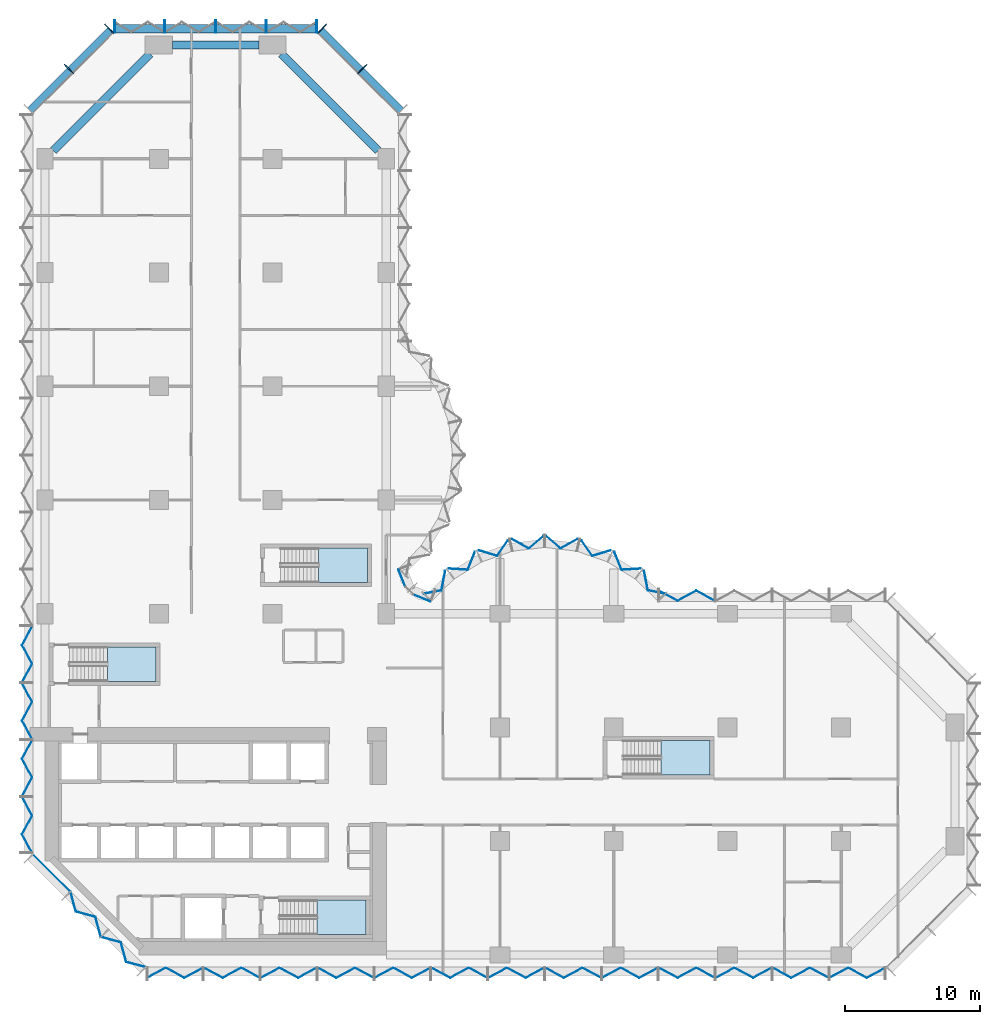
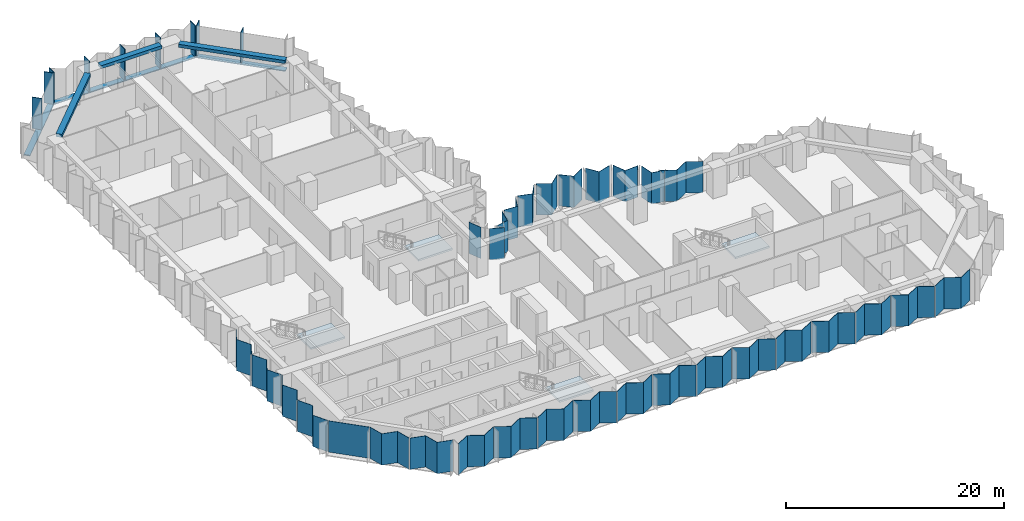
# One storey, part 5 of 15: 31 plates, 12 members, 4 slabs, 3 beams, 13 elements without a shape of their own.
"""IFC4 building model written with IfcOpenShell, lengths in metres."""

from ifc_helpers import new_model, si_unit, direction, frame, origin, origin_2d, place, context, subcontext, project, spatial, polyline, rectangle, outline, extrude, material, layer, layer_set, material_profile, profile_set, type_object, element, aggregate, save


model = new_model("IFC4")

# Units and contexts
model_context = context("Model", 3, precision=1e-05, world=origin(), true_north=direction((0.0, 1.0)))
body_context = subcontext(model_context, "Body", "Model", "MODEL_VIEW")
ifc_project = project(units=[si_unit("LENGTHUNIT", "METRE"), si_unit("AREAUNIT", "SQUARE_METRE"), si_unit("VOLUMEUNIT", "CUBIC_METRE"), si_unit("PLANEANGLEUNIT", "RADIAN"), si_unit("MASSUNIT", "GRAM", prefix="KILO")], contexts=[model_context])

# Site, building, storey
site_placement = place(None, origin())
site = spatial("IfcSite", under=ifc_project, at=site_placement, CompositionType="ELEMENT")
building_placement = place(site_placement, origin())
building = spatial("IfcBuilding", under=site, at=building_placement, Name="Brevane Broadcast Tower", CompositionType="ELEMENT")
storey_placement = place(building_placement, frame((0.0, 0.0, 58.10009765625)))
storey = spatial("IfcBuildingStorey", under=building, at=storey_placement, Name="L12", CompositionType="ELEMENT", Elevation=58.10009765625)

# Curtain wall, members
ifc_material_1 = material(Name="Aluminium 6063-T6 bronze anodised", Category="aluminium")
curtain_wall_type = type_object("IfcCurtainWallType", Name="CW-1 curtain wall", PredefinedType="NOTDEFINED", material=ifc_material_1)
curtain_wall_1_placement = place(storey_placement, origin())
curtain_wall_1 = element("IfcCurtainWall", 1, at=curtain_wall_1_placement, inside=storey, type_object=curtain_wall_type, Name="CW-1 typical tilted unit L12 north arm north-east chamfer", PredefinedType="NOTDEFINED")
ifc_material_profile_1 = material_profile(ifc_material_1, rectangle(XDim=0.949951171875, YDim=0.070068359375, at=origin_2d()), Name="RECT 70x950")
ifc_profile_set_1 = profile_set([ifc_material_profile_1], Name="Aluminium 6063-T6 bronze anodised")
member_type_1 = type_object("IfcMemberType", Name="CW-1 mullion 70x950", PredefinedType="MULLION", material=ifc_profile_set_1)
member_1_placement = place(storey_placement, frame((23.435791015625, 65.435791015625, -0.150146484375), z_axis=(0.0, 0.0, 1.0), x_axis=(-0.707106781187, -0.707106781187, 0.0)))
member_1 = element("IfcMember", 2, at=member_1_placement, type_object=member_type_1, Name="CW-1 mullion", PredefinedType="MULLION", context=body_context, shape_type="SweptSolid", body=[
    extrude(rectangle(XDim=0.949951171875, YDim=0.070068359375, at=origin_2d()), origin(), (0.0, 0.0, 1.0), 3.5),
])
member_2_placement = place(storey_placement, frame((20.460693359375, 68.4111328125, -0.150146484375), z_axis=(0.0, 0.0, 1.0), x_axis=(-0.707106781187, -0.707106781187, 0.0)))
member_2 = element("IfcMember", 3, at=member_2_placement, type_object=member_type_1, Name="CW-1 mullion", PredefinedType="MULLION", context=body_context, shape_type="SweptSolid", body=[
    extrude(rectangle(XDim=0.949951171875, YDim=0.070068359375, at=origin_2d()), origin(), (0.0, 0.0, 1.0), 3.5),
])

curtain_wall_2_placement = place(storey_placement, origin())
curtain_wall_2 = element("IfcCurtainWall", 4, at=curtain_wall_2_placement, inside=storey, type_object=curtain_wall_type, Name="CW-1 typical tilted unit L12 north end", PredefinedType="NOTDEFINED")
member_3_placement = place(storey_placement, frame((20.06494140625, 68.574951171875, -0.150146484375), z_axis=(0.0, 0.0, 1.0), x_axis=(0.0, -1.0, 0.0)))
member_3 = element("IfcMember", 5, at=member_3_placement, type_object=member_type_1, Name="CW-1 mullion", PredefinedType="MULLION", context=body_context, shape_type="SweptSolid", body=[
    extrude(rectangle(XDim=0.949951171875, YDim=0.070068359375, at=origin_2d()), origin(), (0.0, 0.0, 1.0), 3.5),
])
member_4_placement = place(storey_placement, frame((16.35009765625, 68.574951171875, -0.150146484375), z_axis=(0.0, 0.0, 1.0), x_axis=(0.0, -1.0, 0.0)))
member_4 = element("IfcMember", 6, at=member_4_placement, type_object=member_type_1, Name="CW-1 mullion", PredefinedType="MULLION", context=body_context, shape_type="SweptSolid", body=[
    extrude(rectangle(XDim=0.949951171875, YDim=0.070068359375, at=origin_2d()), origin(), (0.0, 0.0, 1.0), 3.5),
])
member_5_placement = place(storey_placement, frame((12.60009765625, 68.574951171875, -0.150146484375), z_axis=(0.0, 0.0, 1.0), x_axis=(0.0, -1.0, 0.0)))
member_5 = element("IfcMember", 7, at=member_5_placement, type_object=member_type_1, Name="CW-1 mullion", PredefinedType="MULLION", context=body_context, shape_type="SweptSolid", body=[
    extrude(rectangle(XDim=0.949951171875, YDim=0.070068359375, at=origin_2d()), origin(), (0.0, 0.0, 1.0), 3.5),
])
member_6_placement = place(storey_placement, frame((8.85009765625, 68.574951171875, -0.150146484375), z_axis=(0.0, 0.0, 1.0), x_axis=(0.0, -1.0, 0.0)))
member_6 = element("IfcMember", 8, at=member_6_placement, type_object=member_type_1, Name="CW-1 mullion", PredefinedType="MULLION", context=body_context, shape_type="SweptSolid", body=[
    extrude(rectangle(XDim=0.949951171875, YDim=0.070068359375, at=origin_2d()), origin(), (0.0, 0.0, 1.0), 3.5),
])
member_7_placement = place(storey_placement, frame((5.135009765625, 68.574951171875, -0.150146484375), z_axis=(0.0, 0.0, 1.0), x_axis=(0.0, -1.0, 0.0)))
member_7 = element("IfcMember", 9, at=member_7_placement, type_object=member_type_1, Name="CW-1 mullion", PredefinedType="MULLION", context=body_context, shape_type="SweptSolid", body=[
    extrude(rectangle(XDim=0.949951171875, YDim=0.070068359375, at=origin_2d()), origin(), (0.0, 0.0, 1.0), 3.5),
])

curtain_wall_3_placement = place(storey_placement, origin())
curtain_wall_3 = element("IfcCurtainWall", 10, at=curtain_wall_3_placement, inside=storey, type_object=curtain_wall_type, Name="CW-1 typical tilted unit L12 north-west chamfer", PredefinedType="NOTDEFINED")
member_8_placement = place(storey_placement, frame((4.7392578125, 68.4111328125, -0.150146484375), z_axis=(0.0, 0.0, 1.0), x_axis=(0.707106781187, -0.707106781187, 0.0)))
member_8 = element("IfcMember", 11, at=member_8_placement, type_object=member_type_1, Name="CW-1 mullion", PredefinedType="MULLION", context=body_context, shape_type="SweptSolid", body=[
    extrude(rectangle(XDim=0.949951171875, YDim=0.070068359375, at=origin_2d()), origin(), (0.0, 0.0, 1.0), 3.5),
])
member_9_placement = place(storey_placement, frame((1.76416015625, 65.435791015625, -0.150146484375), z_axis=(0.0, 0.0, 1.0), x_axis=(0.707106781187, -0.707106781187, 0.0)))
member_9 = element("IfcMember", 12, at=member_9_placement, type_object=member_type_1, Name="CW-1 mullion", PredefinedType="MULLION", context=body_context, shape_type="SweptSolid", body=[
    extrude(rectangle(XDim=0.949951171875, YDim=0.070068359375, at=origin_2d()), origin(), (0.0, 0.0, 1.0), 3.5),
])

# Member
ifc_material_profile_2 = material_profile(ifc_material_1, rectangle(XDim=0.60009765625, YDim=0.10009765625, at=origin_2d()), Name="RECT 100x600")
ifc_profile_set_2 = profile_set([ifc_material_profile_2], Name="Aluminium 6063-T6 bronze anodised")
member_type_2 = type_object("IfcMemberType", Name="CW-1 transom 100x600", PredefinedType="USERDEFINED", material=ifc_profile_set_2)
member_10_placement = place(storey_placement, frame((26.31201171875, 62.31201171875, -0.2001953125), z_axis=(-0.707106781187, 0.707106781187, 0.0), x_axis=(-0.707106781187, -0.707106781187, 0.0)))
member_10 = element("IfcMember", 13, at=member_10_placement, type_object=member_type_2, Name="CW-1 transom", ObjectType="TRANSOM", PredefinedType="USERDEFINED", context=body_context, shape_type="SweptSolid", body=[
    extrude(rectangle(XDim=0.60009765625, YDim=0.10009765625, at=origin_2d()), origin(), (0.0, 0.0, 1.0), 8.4853515625),
])

aggregate(curtain_wall_1, [member_1, member_2, member_10])

member_11_placement = place(storey_placement, frame((20.10009765625, 68.39990234375, -0.2001953125), z_axis=(-1.0, 0.0, 0.0), x_axis=(0.0, -1.0, 0.0)))
member_11 = element("IfcMember", 14, at=member_11_placement, type_object=member_type_2, Name="CW-1 transom", ObjectType="TRANSOM", PredefinedType="USERDEFINED", context=body_context, shape_type="SweptSolid", body=[
    extrude(rectangle(XDim=0.60009765625, YDim=0.10009765625, at=origin_2d()), origin(), (0.0, 0.0, 1.0), 15.0),
])

aggregate(curtain_wall_2, [member_3, member_4, member_5, member_6, member_7, member_11])

member_12_placement = place(storey_placement, frame((4.887939453125, 68.31201171875, -0.2001953125), z_axis=(-0.707106781187, -0.707106781187, 0.0), x_axis=(0.707106781187, -0.707106781187, 0.0)))
member_12 = element("IfcMember", 15, at=member_12_placement, type_object=member_type_2, Name="CW-1 transom", ObjectType="TRANSOM", PredefinedType="USERDEFINED", context=body_context, shape_type="SweptSolid", body=[
    extrude(rectangle(XDim=0.60009765625, YDim=0.10009765625, at=origin_2d()), origin(), (0.0, 0.0, 1.0), 8.4853515625),
])

aggregate(curtain_wall_3, [member_8, member_9, member_12])

# Beams
ifc_material_2 = material(Name="Concrete C40/50", Category="concrete")
ifc_material_profile_3 = material_profile(ifc_material_2, rectangle(XDim=0.60009765625, YDim=0.35009765625, at=origin_2d()), Name="RC 600x350")
ifc_profile_set_3 = profile_set([ifc_material_profile_3], Name="Concrete C40/50")
beam_type = type_object("IfcBeamType", Name="RC SPANDREL BEAM 600x350 C40/50", PredefinedType="SPANDREL", material=ifc_profile_set_3)
beam_1_placement = place(storey_placement, frame((24.60009765625, 59.39990234375, 3.1748046875), z_axis=(-0.707106781187, 0.707106781187, 0.0), x_axis=(-0.707106781187, -0.707106781187, 0.0)))
element("IfcBeam", 16, at=beam_1_placement, inside=storey, type_object=beam_type, Name="EB1 L12-16", PredefinedType="SPANDREL", context=body_context, shape_type="SweptSolid", body=[
    extrude(rectangle(XDim=0.60009765625, YDim=0.35009765625, at=origin_2d()), origin(), (0.0, 0.0, 1.0), 10.11181640625),
])
beam_2_placement = place(storey_placement, frame((15.800048828125, 67.199951171875, 3.1748046875), z_axis=(-1.0, 0.0, 0.0), x_axis=(0.0, -1.0, 0.0)))
element("IfcBeam", 17, at=beam_2_placement, inside=storey, type_object=beam_type, Name="EB1 L12-17", PredefinedType="SPANDREL", context=body_context, shape_type="SweptSolid", body=[
    extrude(rectangle(XDim=0.60009765625, YDim=0.35009765625, at=origin_2d()), origin(), (0.0, 0.0, 1.0), 6.400146484375),
])
beam_3_placement = place(storey_placement, frame((7.75, 66.550048828125, 3.1748046875), z_axis=(-0.707094708853, -0.707118853314, 0.0), x_axis=(0.707118853314, -0.707094708853, 0.0)))
element("IfcBeam", 18, at=beam_3_placement, inside=storey, type_object=beam_type, Name="EB1 L12-18", PredefinedType="SPANDREL", context=body_context, shape_type="SweptSolid", body=[
    extrude(rectangle(XDim=0.60009765625, YDim=0.35009765625, at=origin_2d()), origin(), (0.0, 0.0, 1.0), 10.111572265625),
])

# Curtain wall, plates
curtain_wall_4_placement = place(storey_placement, origin())
curtain_wall_4 = element("IfcCurtainWall", 19, at=curtain_wall_4_placement, inside=storey, type_object=curtain_wall_type, Name="CW-1 typical tilted unit L12 south face", PredefinedType="NOTDEFINED")
ifc_material_3 = material(Name="Laminated glass bronze-tinted", Category="glass")
ifc_layer_1 = layer(ifc_material_3, 0.0400390625)
ifc_layer_set_1 = layer_set([ifc_layer_1], Name="CW tall glass panel 40")
plate_type = type_object("IfcPlateType", Name="CW tall glass panel 40", PredefinedType="CURTAIN_PANEL", material=ifc_layer_set_1)
plate_1_placement = place(storey_placement, frame((0.0, 0.0, -0.150146484375)))
plate_1 = element("IfcPlate", 20, at=plate_1_placement, type_object=plate_type, Name="CW-1 glass panel", PredefinedType="CURTAIN_PANEL", context=body_context, shape_type="SweptSolid", body=[
    extrude(outline(polyline([(7.534912109375, -1.671630859375), (7.534912109375, -1.717041015625), (8.91162109375, -0.97265625), (10.288330078125, -1.717041015625), (11.6650390625, -0.97265625), (11.6650390625, -0.92724609375), (10.288330078125, -1.671630859375), (8.91162109375, -0.92724609375), (7.534912109375, -1.671630859375)])), origin(), (0.0, 0.0, 1.0), 3.5),
])
plate_2_placement = place(storey_placement, frame((0.0, 0.0, -0.150146484375)))
plate_2 = element("IfcPlate", 21, at=plate_2_placement, type_object=plate_type, Name="CW-1 glass panel", PredefinedType="CURTAIN_PANEL", context=body_context, shape_type="SweptSolid", body=[
    extrude(outline(polyline([(11.735107421875, -0.92724609375), (11.735107421875, -0.97265625), (13.11181640625, -1.717041015625), (14.48828125, -0.97265625), (15.864990234375, -1.717041015625), (15.864990234375, -1.671630859375), (14.48828125, -0.92724609375), (13.11181640625, -1.671630859375), (11.735107421875, -0.92724609375)])), origin(), (0.0, 0.0, 1.0), 3.5),
])
plate_3_placement = place(storey_placement, frame((0.0, 0.0, -0.150146484375)))
plate_3 = element("IfcPlate", 22, at=plate_3_placement, type_object=plate_type, Name="CW-1 glass panel", PredefinedType="CURTAIN_PANEL", context=body_context, shape_type="SweptSolid", body=[
    extrude(outline(polyline([(15.93505859375, -1.671630859375), (15.93505859375, -1.717041015625), (17.311767578125, -0.97265625), (18.688232421875, -1.717041015625), (20.06494140625, -0.97265625), (20.06494140625, -0.92724609375), (18.688232421875, -1.671630859375), (17.311767578125, -0.92724609375), (15.93505859375, -1.671630859375)])), origin(), (0.0, 0.0, 1.0), 3.5),
])
plate_4_placement = place(storey_placement, frame((0.0, 0.0, -0.150146484375)))
plate_4 = element("IfcPlate", 23, at=plate_4_placement, type_object=plate_type, Name="CW-1 glass panel", PredefinedType="CURTAIN_PANEL", context=body_context, shape_type="SweptSolid", body=[
    extrude(outline(polyline([(20.135009765625, -0.92724609375), (20.135009765625, -0.97265625), (21.51171875, -1.717041015625), (22.88818359375, -0.97265625), (24.264892578125, -1.717041015625), (24.264892578125, -1.671630859375), (22.88818359375, -0.92724609375), (21.51171875, -1.671630859375), (20.135009765625, -0.92724609375)])), origin(), (0.0, 0.0, 1.0), 3.5),
])
plate_5_placement = place(storey_placement, frame((0.0, 0.0, -0.150146484375)))
plate_5 = element("IfcPlate", 24, at=plate_5_placement, type_object=plate_type, Name="CW-1 glass panel", PredefinedType="CURTAIN_PANEL", context=body_context, shape_type="SweptSolid", body=[
    extrude(outline(polyline([(24.3349609375, -1.671630859375), (24.3349609375, -1.717041015625), (25.711669921875, -0.97265625), (27.08837890625, -1.717041015625), (28.465087890625, -0.97265625), (28.465087890625, -0.92724609375), (27.08837890625, -1.671630859375), (25.711669921875, -0.92724609375), (24.3349609375, -1.671630859375)])), origin(), (0.0, 0.0, 1.0), 3.5),
])
plate_6_placement = place(storey_placement, frame((0.0, 0.0, -0.150146484375)))
plate_6 = element("IfcPlate", 25, at=plate_6_placement, type_object=plate_type, Name="CW-1 glass panel", PredefinedType="CURTAIN_PANEL", context=body_context, shape_type="SweptSolid", body=[
    extrude(outline(polyline([(28.534912109375, -0.92724609375), (28.534912109375, -0.97265625), (29.91162109375, -1.717041015625), (31.288330078125, -0.97265625), (32.6650390625, -1.717041015625), (32.6650390625, -1.671630859375), (31.288330078125, -0.92724609375), (29.91162109375, -1.671630859375), (28.534912109375, -0.92724609375)])), origin(), (0.0, 0.0, 1.0), 3.5),
])
plate_7_placement = place(storey_placement, frame((0.0, 0.0, -0.150146484375)))
plate_7 = element("IfcPlate", 26, at=plate_7_placement, type_object=plate_type, Name="CW-1 glass panel", PredefinedType="CURTAIN_PANEL", context=body_context, shape_type="SweptSolid", body=[
    extrude(outline(polyline([(32.735107421875, -1.671630859375), (32.735107421875, -1.717041015625), (34.11181640625, -0.97265625), (35.48828125, -1.717041015625), (36.864990234375, -0.97265625), (36.864990234375, -0.92724609375), (35.48828125, -1.671630859375), (34.11181640625, -0.92724609375), (32.735107421875, -1.671630859375)])), origin(), (0.0, 0.0, 1.0), 3.5),
])
plate_8_placement = place(storey_placement, frame((0.0, 0.0, -0.150146484375)))
plate_8 = element("IfcPlate", 27, at=plate_8_placement, type_object=plate_type, Name="CW-1 glass panel", PredefinedType="CURTAIN_PANEL", context=body_context, shape_type="SweptSolid", body=[
    extrude(outline(polyline([(36.93505859375, -0.92724609375), (36.93505859375, -0.97265625), (38.311767578125, -1.717041015625), (39.688232421875, -0.97265625), (41.06494140625, -1.717041015625), (41.06494140625, -1.671630859375), (39.688232421875, -0.92724609375), (38.311767578125, -1.671630859375), (36.93505859375, -0.92724609375)])), origin(), (0.0, 0.0, 1.0), 3.5),
])
plate_9_placement = place(storey_placement, frame((0.0, 0.0, -0.150146484375)))
plate_9 = element("IfcPlate", 28, at=plate_9_placement, type_object=plate_type, Name="CW-1 glass panel", PredefinedType="CURTAIN_PANEL", context=body_context, shape_type="SweptSolid", body=[
    extrude(outline(polyline([(41.135009765625, -1.671630859375), (41.135009765625, -1.717041015625), (42.51171875, -0.97265625), (43.88818359375, -1.717041015625), (45.264892578125, -0.97265625), (45.264892578125, -0.92724609375), (43.88818359375, -1.671630859375), (42.51171875, -0.92724609375), (41.135009765625, -1.671630859375)])), origin(), (0.0, 0.0, 1.0), 3.5),
])
plate_10_placement = place(storey_placement, frame((0.0, 0.0, -0.150146484375)))
plate_10 = element("IfcPlate", 29, at=plate_10_placement, type_object=plate_type, Name="CW-1 glass panel", PredefinedType="CURTAIN_PANEL", context=body_context, shape_type="SweptSolid", body=[
    extrude(outline(polyline([(45.3349609375, -0.92724609375), (45.3349609375, -0.97265625), (46.711669921875, -1.717041015625), (48.08837890625, -0.97265625), (49.465087890625, -1.717041015625), (49.465087890625, -1.671630859375), (48.08837890625, -0.92724609375), (46.711669921875, -1.671630859375), (45.3349609375, -0.92724609375)])), origin(), (0.0, 0.0, 1.0), 3.5),
])
plate_11_placement = place(storey_placement, frame((0.0, 0.0, -0.150146484375)))
plate_11 = element("IfcPlate", 30, at=plate_11_placement, type_object=plate_type, Name="CW-1 glass panel", PredefinedType="CURTAIN_PANEL", context=body_context, shape_type="SweptSolid", body=[
    extrude(outline(polyline([(49.534912109375, -1.671630859375), (49.534912109375, -1.717041015625), (50.91162109375, -0.97265625), (52.288330078125, -1.717041015625), (53.6650390625, -0.97265625), (53.6650390625, -0.92724609375), (52.288330078125, -1.671630859375), (50.91162109375, -0.92724609375), (49.534912109375, -1.671630859375)])), origin(), (0.0, 0.0, 1.0), 3.5),
])
plate_12_placement = place(storey_placement, frame((0.0, 0.0, -0.150146484375)))
plate_12 = element("IfcPlate", 31, at=plate_12_placement, type_object=plate_type, Name="CW-1 glass panel", PredefinedType="CURTAIN_PANEL", context=body_context, shape_type="SweptSolid", body=[
    extrude(outline(polyline([(53.735107421875, -0.92724609375), (53.735107421875, -0.97265625), (55.11181640625, -1.717041015625), (56.48828125, -0.97265625), (57.864990234375, -1.717041015625), (57.864990234375, -1.671630859375), (56.48828125, -0.92724609375), (55.11181640625, -1.671630859375), (53.735107421875, -0.92724609375)])), origin(), (0.0, 0.0, 1.0), 3.5),
])
plate_13_placement = place(storey_placement, frame((0.0, 0.0, -0.150146484375)))
plate_13 = element("IfcPlate", 32, at=plate_13_placement, type_object=plate_type, Name="CW-1 glass panel", PredefinedType="CURTAIN_PANEL", context=body_context, shape_type="SweptSolid", body=[
    extrude(outline(polyline([(57.93505859375, -1.671630859375), (57.93505859375, -1.717041015625), (59.311767578125, -0.97265625), (60.688232421875, -1.717041015625), (62.06494140625, -0.97265625), (62.06494140625, -0.92724609375), (60.688232421875, -1.671630859375), (59.311767578125, -0.92724609375), (57.93505859375, -1.671630859375)])), origin(), (0.0, 0.0, 1.0), 3.5),
])
aggregate(curtain_wall_4, [plate_1, plate_2, plate_3, plate_4, plate_5, plate_6, plate_7, plate_8, plate_9, plate_10, plate_11, plate_12, plate_13])

# Curtain wall, plate
curtain_wall_5_placement = place(storey_placement, origin())
curtain_wall_5 = element("IfcCurtainWall", 33, at=curtain_wall_5_placement, inside=storey, type_object=curtain_wall_type, Name="CW-1 typical tilted unit L12 east arm north face", PredefinedType="NOTDEFINED")
plate_14_placement = place(storey_placement, frame((0.0, 0.0, -0.150146484375)))
plate_14 = element("IfcPlate", 34, at=plate_14_placement, type_object=plate_type, Name="CW-1 glass panel", PredefinedType="CURTAIN_PANEL", context=body_context, shape_type="SweptSolid", body=[
    extrude(outline(polyline([(49.465087890625, 26.127197265625), (49.465087890625, 26.172607421875), (48.08837890625, 26.9169921875), (46.711669921875, 26.172607421875), (45.3349609375, 26.9169921875), (45.3349609375, 26.87158203125), (46.711669921875, 26.127197265625), (48.08837890625, 26.87158203125), (49.465087890625, 26.127197265625)])), origin(), (0.0, 0.0, 1.0), 3.5),
])
aggregate(curtain_wall_5, [plate_14])

# Curtain wall, plates
curtain_wall_6_placement = place(storey_placement, origin())
curtain_wall_6 = element("IfcCurtainWall", 35, at=curtain_wall_6_placement, inside=storey, type_object=curtain_wall_type, Name="CW-1 typical tilted unit L12 east bow", PredefinedType="NOTDEFINED")
plate_15_placement = place(storey_placement, frame((0.0, 0.0, -0.150146484375)))
plate_15 = element("IfcPlate", 36, at=plate_15_placement, type_object=plate_type, Name="CW-1 glass panel", PredefinedType="CURTAIN_PANEL", context=body_context, shape_type="SweptSolid", body=[
    extrude(outline(polyline([(45.79150390625, 26.656005859375), (45.82470703125, 26.690185546875), (44.539306640625, 26.9423828125), (44.263916015625, 28.3857421875), (44.231201171875, 28.34375), (44.5048828125, 26.908203125), (45.79150390625, 26.656005859375)])), origin(), (0.0, 0.0, 1.0), 3.5),
])
plate_16_placement = place(storey_placement, frame((0.0, 0.0, -0.150146484375)))
plate_16 = element("IfcPlate", 37, at=plate_16_placement, type_object=plate_type, Name="CW-1 glass panel", PredefinedType="CURTAIN_PANEL", context=body_context, shape_type="SweptSolid", body=[
    extrude(outline(polyline([(43.950439453125, 28.5087890625), (43.9833984375, 28.551025390625), (42.601318359375, 28.462890625), (42.0703125, 29.76171875), (42.046875, 29.712890625), (42.5751953125, 28.42138671875), (43.950439453125, 28.5087890625)])), origin(), (0.0, 0.0, 1.0), 3.5),
])
plate_17_placement = place(storey_placement, frame((0.0, 0.0, -0.150146484375)))
plate_17 = element("IfcPlate", 38, at=plate_17_placement, type_object=plate_type, Name="CW-1 glass panel", PredefinedType="CURTAIN_PANEL", context=body_context, shape_type="SweptSolid", body=[
    extrude(outline(polyline([(41.75537109375, 29.851806640625), (41.778564453125, 29.900634765625), (40.435546875, 29.494384765625), (39.6328125, 30.622802734375), (39.62060546875, 30.57080078125), (40.41943359375, 29.44775390625), (41.75537109375, 29.851806640625)])), origin(), (0.0, 0.0, 1.0), 3.5),
])
plate_18_placement = place(storey_placement, frame((0.0, 0.0, -0.150146484375)))
plate_18 = element("IfcPlate", 39, at=plate_18_placement, type_object=plate_type, Name="CW-1 glass panel", PredefinedType="CURTAIN_PANEL", context=body_context, shape_type="SweptSolid", body=[
    extrude(outline(polyline([(39.31640625, 30.68798828125), (39.328369140625, 30.740478515625), (38.069580078125, 30.036376953125), (37.008056640625, 30.94921875), (37.008056640625, 30.896484375), (38.064697265625, 29.98779296875), (39.31640625, 30.68798828125)])), origin(), (0.0, 0.0, 1.0), 3.5),
])
plate_19_placement = place(storey_placement, frame((0.0, 0.0, -0.150146484375)))
plate_19 = element("IfcPlate", 40, at=plate_19_placement, type_object=plate_type, Name="CW-1 glass panel", PredefinedType="CURTAIN_PANEL", context=body_context, shape_type="SweptSolid", body=[
    extrude(outline(polyline([(36.7919921875, 30.896484375), (36.7919921875, 30.94921875), (35.730224609375, 30.036376953125), (34.4716796875, 30.740478515625), (34.483642578125, 30.68798828125), (35.735107421875, 29.98779296875), (36.7919921875, 30.896484375)])), origin(), (0.0, 0.0, 1.0), 3.5),
])
plate_20_placement = place(storey_placement, frame((0.0, 0.0, -0.150146484375)))
plate_20 = element("IfcPlate", 41, at=plate_20_placement, type_object=plate_type, Name="CW-1 glass panel", PredefinedType="CURTAIN_PANEL", context=body_context, shape_type="SweptSolid", body=[
    extrude(outline(polyline([(34.17919921875, 30.57080078125), (34.167236328125, 30.622802734375), (33.364501953125, 29.494384765625), (32.021484375, 29.900634765625), (32.044677734375, 29.851806640625), (33.380615234375, 29.44775390625), (34.17919921875, 30.57080078125)])), origin(), (0.0, 0.0, 1.0), 3.5),
])
plate_21_placement = place(storey_placement, frame((0.0, 0.0, -0.150146484375)))
plate_21 = element("IfcPlate", 42, at=plate_21_placement, type_object=plate_type, Name="CW-1 glass panel", PredefinedType="CURTAIN_PANEL", context=body_context, shape_type="SweptSolid", body=[
    extrude(outline(polyline([(31.753173828125, 29.712890625), (31.729736328125, 29.76171875), (31.198486328125, 28.462890625), (29.816650390625, 28.551025390625), (29.849609375, 28.5087890625), (31.224609375, 28.42138671875), (31.753173828125, 29.712890625)])), origin(), (0.0, 0.0, 1.0), 3.5),
])
plate_22_placement = place(storey_placement, frame((0.0, 0.0, -0.150146484375)))
plate_22 = element("IfcPlate", 43, at=plate_22_placement, type_object=plate_type, Name="CW-1 glass panel", PredefinedType="CURTAIN_PANEL", context=body_context, shape_type="SweptSolid", body=[
    extrude(outline(polyline([(29.568603515625, 28.34375), (29.535888671875, 28.3857421875), (29.2607421875, 26.9423828125), (27.975341796875, 26.690185546875), (28.008544921875, 26.656005859375), (29.294921875, 26.908203125), (29.568603515625, 28.34375)])), origin(), (0.0, 0.0, 1.0), 3.5),
])
aggregate(curtain_wall_6, [plate_15, plate_16, plate_17, plate_18, plate_19, plate_20, plate_21, plate_22])

curtain_wall_7_placement = place(storey_placement, origin())
curtain_wall_7 = element("IfcCurtainWall", 44, at=curtain_wall_7_placement, inside=storey, type_object=curtain_wall_type, Name="CW-1 typical tilted unit L12 inner corner", PredefinedType="NOTDEFINED")
plate_23_placement = place(storey_placement, frame((0.0, 0.0, -0.150146484375)))
plate_23 = element("IfcPlate", 45, at=plate_23_placement, type_object=plate_type, Name="CW-1 glass panel", PredefinedType="CURTAIN_PANEL", context=body_context, shape_type="SweptSolid", body=[
    extrude(outline(polyline([(28.45166015625, 26.07470703125), (28.466796875, 26.111572265625), (27.2021484375, 26.635498046875), (27.17138671875, 26.60498046875), (28.45166015625, 26.07470703125)])), origin(), (0.0, 0.0, 1.0), 3.5),
])
plate_24_placement = place(storey_placement, frame((0.0, 0.0, -0.150146484375)))
plate_24 = element("IfcPlate", 46, at=plate_24_placement, type_object=plate_type, Name="CW-1 glass panel", PredefinedType="CURTAIN_PANEL", context=body_context, shape_type="SweptSolid", body=[
    extrude(outline(polyline([(26.60498046875, 27.17138671875), (26.635498046875, 27.2021484375), (26.111572265625, 28.466796875), (26.07470703125, 28.45166015625), (26.60498046875, 27.17138671875)])), origin(), (0.0, 0.0, 1.0), 3.5),
])
aggregate(curtain_wall_7, [plate_23, plate_24])

curtain_wall_8_placement = place(storey_placement, origin())
curtain_wall_8 = element("IfcCurtainWall", 47, at=curtain_wall_8_placement, inside=storey, type_object=curtain_wall_type, Name="CW-1 typical tilted unit L12 west face", PredefinedType="NOTDEFINED")
plate_25_placement = place(storey_placement, frame((0.0, 0.0, -0.150146484375)))
plate_25 = element("IfcPlate", 48, at=plate_25_placement, type_object=plate_type, Name="CW-1 glass panel", PredefinedType="CURTAIN_PANEL", context=body_context, shape_type="SweptSolid", body=[
    extrude(outline(polyline([(-0.92724609375, 24.264892578125), (-0.97265625, 24.264892578125), (-1.717041015625, 22.88818359375), (-0.97265625, 21.51171875), (-1.717041015625, 20.135009765625), (-1.671630859375, 20.135009765625), (-0.92724609375, 21.51171875), (-1.671630859375, 22.88818359375), (-0.92724609375, 24.264892578125)])), origin(), (0.0, 0.0, 1.0), 3.5),
])
plate_26_placement = place(storey_placement, frame((0.0, 0.0, -0.150146484375)))
plate_26 = element("IfcPlate", 49, at=plate_26_placement, type_object=plate_type, Name="CW-1 glass panel", PredefinedType="CURTAIN_PANEL", context=body_context, shape_type="SweptSolid", body=[
    extrude(outline(polyline([(-1.671630859375, 20.06494140625), (-1.717041015625, 20.06494140625), (-0.97265625, 18.688232421875), (-1.717041015625, 17.311767578125), (-0.97265625, 15.93505859375), (-0.92724609375, 15.93505859375), (-1.671630859375, 17.311767578125), (-0.92724609375, 18.688232421875), (-1.671630859375, 20.06494140625)])), origin(), (0.0, 0.0, 1.0), 3.5),
])
plate_27_placement = place(storey_placement, frame((0.0, 0.0, -0.150146484375)))
plate_27 = element("IfcPlate", 50, at=plate_27_placement, type_object=plate_type, Name="CW-1 glass panel", PredefinedType="CURTAIN_PANEL", context=body_context, shape_type="SweptSolid", body=[
    extrude(outline(polyline([(-0.92724609375, 15.864990234375), (-0.97265625, 15.864990234375), (-1.717041015625, 14.48828125), (-0.97265625, 13.11181640625), (-1.717041015625, 11.735107421875), (-1.671630859375, 11.735107421875), (-0.92724609375, 13.11181640625), (-1.671630859375, 14.48828125), (-0.92724609375, 15.864990234375)])), origin(), (0.0, 0.0, 1.0), 3.5),
])
plate_28_placement = place(storey_placement, frame((0.0, 0.0, -0.150146484375)))
plate_28 = element("IfcPlate", 51, at=plate_28_placement, type_object=plate_type, Name="CW-1 glass panel", PredefinedType="CURTAIN_PANEL", context=body_context, shape_type="SweptSolid", body=[
    extrude(outline(polyline([(-1.671630859375, 11.6650390625), (-1.717041015625, 11.6650390625), (-0.97265625, 10.288330078125), (-1.717041015625, 8.91162109375), (-0.97265625, 7.534912109375), (-0.92724609375, 7.534912109375), (-1.671630859375, 8.91162109375), (-0.92724609375, 10.288330078125), (-1.671630859375, 11.6650390625)])), origin(), (0.0, 0.0, 1.0), 3.5),
])
aggregate(curtain_wall_8, [plate_25, plate_26, plate_27, plate_28])

curtain_wall_9_placement = place(storey_placement, origin())
curtain_wall_9 = element("IfcCurtainWall", 52, at=curtain_wall_9_placement, inside=storey, type_object=curtain_wall_type, Name="CW-1 typical tilted unit L12 south-west chamfer", PredefinedType="NOTDEFINED")
plate_29_placement = place(storey_placement, frame((0.0, 0.0, -0.150146484375)))
plate_29 = element("IfcPlate", 53, at=plate_29_placement, type_object=plate_type, Name="CW-1 glass panel", PredefinedType="CURTAIN_PANEL", context=body_context, shape_type="SweptSolid", body=[
    extrude(outline(polyline([(-0.896484375, 7.4541015625), (1.85400390625, 4.70361328125), (1.82568359375, 4.67529296875), (-0.9248046875, 7.42578125), (-0.896484375, 7.4541015625)])), origin(), (0.0, 0.0, 1.0), 3.5),
])
plate_30_placement = place(storey_placement, frame((0.0, 0.0, -0.150146484375)))
plate_30 = element("IfcPlate", 54, at=plate_30_placement, type_object=plate_type, Name="CW-1 glass panel", PredefinedType="CURTAIN_PANEL", context=body_context, shape_type="SweptSolid", body=[
    extrude(outline(polyline([(1.90576171875, 4.65625), (1.873046875, 4.62353515625), (2.263671875, 3.180419921875), (3.706787109375, 2.789794921875), (4.09716796875, 1.3466796875), (4.1298828125, 1.37939453125), (3.739501953125, 2.822509765625), (2.296142578125, 3.212890625), (1.90576171875, 4.65625)])), origin(), (0.0, 0.0, 1.0), 3.5),
])
plate_31_placement = place(storey_placement, frame((0.0, 0.0, -0.150146484375)))
plate_31 = element("IfcPlate", 55, at=plate_31_placement, type_object=plate_type, Name="CW-1 glass panel", PredefinedType="CURTAIN_PANEL", context=body_context, shape_type="SweptSolid", body=[
    extrude(outline(polyline([(4.17919921875, 1.329833984375), (4.146728515625, 1.297119140625), (5.58984375, 0.90673828125), (5.98046875, -0.536376953125), (7.423583984375, -0.927001953125), (7.456298828125, -0.894287109375), (6.012939453125, -0.50390625), (5.62255859375, 0.939453125), (4.17919921875, 1.329833984375)])), origin(), (0.0, 0.0, 1.0), 3.5),
])
aggregate(curtain_wall_9, [plate_29, plate_30, plate_31])

# Stair, slab
ifc_material_4 = material(Name="Concrete C50/60", Category="concrete")
stair_type = type_object("IfcStairType", Name="Exit stair 22 risers", PredefinedType="HALF_TURN_STAIR", material=ifc_material_4)
stair_1_placement = place(storey_placement, origin())
stair_1 = element("IfcStair", 56, at=stair_1_placement, inside=storey, type_object=stair_type, Name="L12 Exit stair ST-1", PredefinedType="HALF_TURN_STAIR")
ifc_layer_2 = layer(ifc_material_4, 0.199951171875)
ifc_layer_set_2 = layer_set([ifc_layer_2], Name="Exit stair landing")
slab_type = type_object("IfcSlabType", Name="Exit stair landing", PredefinedType="LANDING", material=ifc_layer_set_2)
slab_1_placement = place(storey_placement, frame((0.0, 0.0, 1.599853515625)))
slab_1 = element("IfcSlab", 57, at=slab_1_placement, type_object=slab_type, Name="ST-1 landing 1", PredefinedType="LANDING", context=body_context, shape_type="SweptSolid", body=[
    extrude(outline(polyline([(4.60009765625, 20.199951171875), (8.199951171875, 20.199951171875), (8.199951171875, 22.75), (4.60009765625, 22.75), (4.60009765625, 20.199951171875)])), origin(), (0.0, 0.0, 1.0), 0.199951171875),
])
aggregate(stair_1, [slab_1])

stair_2_placement = place(storey_placement, origin())
stair_2 = element("IfcStair", 58, at=stair_2_placement, inside=storey, type_object=stair_type, Name="L12 Exit stair ST-2", PredefinedType="HALF_TURN_STAIR")
slab_2_placement = place(storey_placement, frame((0.0, 0.0, 1.599853515625)))
slab_2 = element("IfcSlab", 59, at=slab_2_placement, type_object=slab_type, Name="ST-2 landing 1", PredefinedType="LANDING", context=body_context, shape_type="SweptSolid", body=[
    extrude(outline(polyline([(20.10009765625, 1.5), (23.699951171875, 1.5), (23.699951171875, 4.050048828125), (20.10009765625, 4.050048828125), (20.10009765625, 1.5)])), origin(), (0.0, 0.0, 1.0), 0.199951171875),
])
aggregate(stair_2, [slab_2])

stair_3_placement = place(storey_placement, origin())
stair_3 = element("IfcStair", 60, at=stair_3_placement, inside=storey, type_object=stair_type, Name="L12 Exit stair ST-3", PredefinedType="HALF_TURN_STAIR")
slab_3_placement = place(storey_placement, frame((0.0, 0.0, 1.599853515625)))
slab_3 = element("IfcSlab", 61, at=slab_3_placement, type_object=slab_type, Name="ST-3 landing 1", PredefinedType="LANDING", context=body_context, shape_type="SweptSolid", body=[
    extrude(outline(polyline([(20.199951171875, 27.5), (23.800048828125, 27.5), (23.800048828125, 30.050048828125), (20.199951171875, 30.050048828125), (20.199951171875, 27.5)])), origin(), (0.0, 0.0, 1.0), 0.199951171875),
])
aggregate(stair_3, [slab_3])

stair_4_placement = place(storey_placement, origin())
stair_4 = element("IfcStair", 62, at=stair_4_placement, inside=storey, type_object=stair_type, Name="L12 Exit stair ST-4", PredefinedType="HALF_TURN_STAIR")
slab_4_placement = place(storey_placement, frame((0.0, 0.0, 1.599853515625)))
slab_4 = element("IfcSlab", 63, at=slab_4_placement, type_object=slab_type, Name="ST-4 landing 1", PredefinedType="LANDING", context=body_context, shape_type="SweptSolid", body=[
    extrude(outline(polyline([(45.5, 13.300048828125), (49.10009765625, 13.300048828125), (49.10009765625, 15.85009765625), (45.5, 15.85009765625), (45.5, 13.300048828125)])), origin(), (0.0, 0.0, 1.0), 0.199951171875),
])
aggregate(stair_4, [slab_4])

save(model, "model.ifc")
